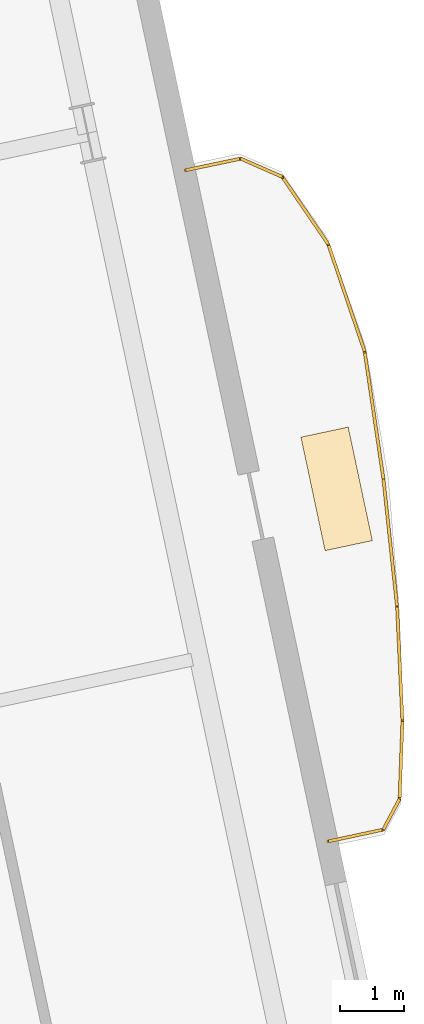
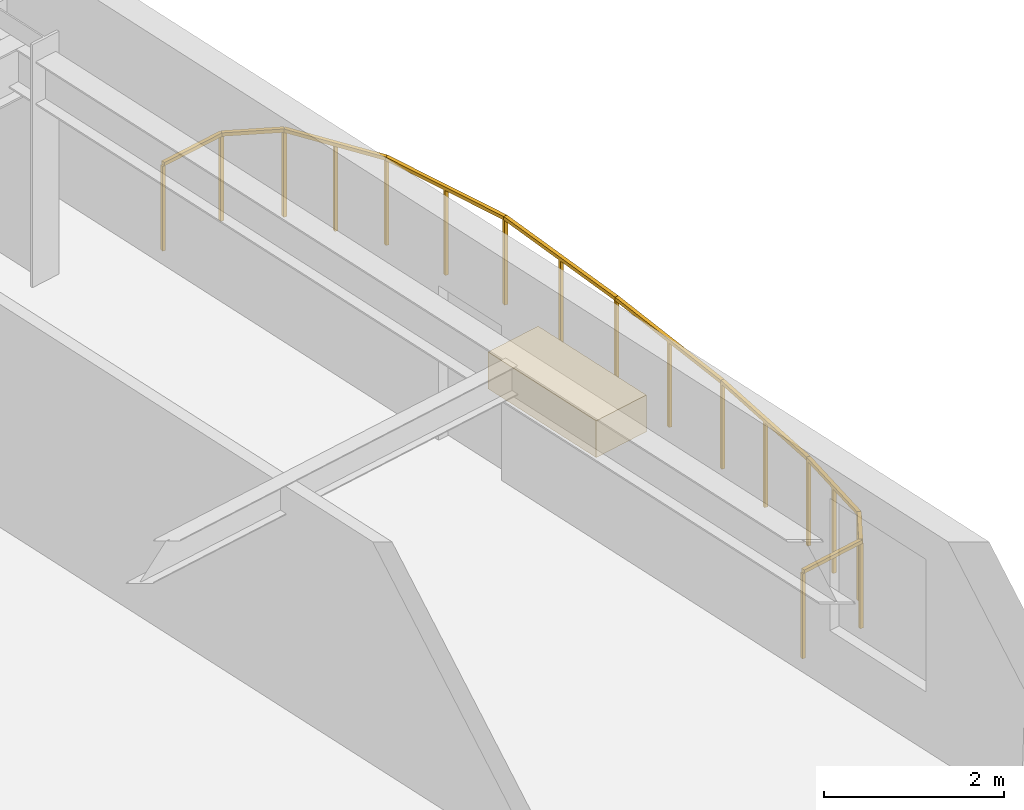
# One storey, part 16 of 16: 10 railings, 1 covering.
"""IFC4 building model written with IfcOpenShell, lengths in metres."""

from ifc_helpers import new_model, si_unit, direction, frame, origin, origin_2d, place, context, subcontext, project, spatial, rectangle, extrude, material, layer, layer_set, type_object, element, save


model = new_model("IFC4")

# Units and contexts
model_context = context("Model", 3, precision=1e-05, world=origin(), true_north=direction((0.0, 1.0)))
body_context = subcontext(model_context, "Body", "Model", "MODEL_VIEW")
ifc_project = project(units=[si_unit("LENGTHUNIT", "METRE"), si_unit("AREAUNIT", "SQUARE_METRE"), si_unit("VOLUMEUNIT", "CUBIC_METRE"), si_unit("PLANEANGLEUNIT", "RADIAN"), si_unit("MASSUNIT", "GRAM", prefix="KILO")], contexts=[model_context])

# Site, building, storey
site_placement = place(None, origin())
site = spatial("IfcSite", under=ifc_project, at=site_placement, CompositionType="ELEMENT")
building_placement = place(site_placement, origin())
building = spatial("IfcBuilding", under=site, at=building_placement, Name="Haevon Station Towers", CompositionType="ELEMENT")
storey_placement = place(building_placement, frame((0.0, 0.0, 43.800048828125)))
storey = spatial("IfcBuildingStorey", under=building, at=storey_placement, Name="L10", CompositionType="ELEMENT", Elevation=43.800048828125)

# Railings
ifc_material_1 = material(Name="Steel S355", Category="steel")
railing_type = type_object("IfcRailingType", Name="GRD-EXT1200", PredefinedType="GUARDRAIL", material=ifc_material_1)
railing_1_placement = place(storey_placement, frame((138.470458984375, 28.175537109375, 0.0)))
element("IfcRailing", 1, at=railing_1_placement, inside=storey, type_object=railing_type, Name="L10 Perimeter Guardrail 1", PredefinedType="GUARDRAIL", context=body_context, shape_type="SweptSolid", body=[
    extrude(rectangle(XDim=0.048095703125, YDim=0.048095703125, at=origin_2d()), frame((0.0, 0.0, 1.17578125), z_axis=(0.977683060471, 0.210085299981, 0.0), x_axis=(-0.210085299981, 0.977683060471, 0.0)), (0.0, 0.0, 1.0), 0.869140625),
    extrude(rectangle(XDim=0.0419921875, YDim=0.0419921875, at=origin_2d()), origin(), (0.0, 0.0, 1.0), 1.15185546875),
    extrude(rectangle(XDim=0.0419921875, YDim=0.0419921875, at=origin_2d()), frame((0.849853515625, 0.1826171875, 0.0)), (0.0, 0.0, 1.0), 1.15185546875),
])
railing_2_placement = place(storey_placement, frame((139.3203125, 28.358154296875, 0.0)))
element("IfcRailing", 2, at=railing_2_placement, inside=storey, type_object=railing_type, Name="L10 Perimeter Guardrail 2", PredefinedType="GUARDRAIL", context=body_context, shape_type="SweptSolid", body=[
    extrude(rectangle(XDim=0.048095703125, YDim=0.048095703125, at=origin_2d()), frame((0.0, 0.0, 1.17578125), z_axis=(0.470493946503, 0.882403222061, 0.0), x_axis=(-0.882403222061, 0.470493946503, 0.0)), (0.0, 0.0, 1.0), 0.53759765625),
    extrude(rectangle(XDim=0.0419921875, YDim=0.0419921875, at=origin_2d()), origin(), (0.0, 0.0, 1.0), 1.15185546875),
    extrude(rectangle(XDim=0.0419921875, YDim=0.0419921875, at=origin_2d()), frame((0.2529296875, 0.474365234375, 0.0)), (0.0, 0.0, 1.0), 1.15185546875),
])
railing_3_placement = place(storey_placement, frame((139.5732421875, 28.83251953125, 0.0)))
element("IfcRailing", 3, at=railing_3_placement, inside=storey, type_object=railing_type, Name="L10 Perimeter Guardrail 3", PredefinedType="GUARDRAIL", context=body_context, shape_type="SweptSolid", body=[
    extrude(rectangle(XDim=0.048095703125, YDim=0.048095703125, at=origin_2d()), frame((0.0, 0.0, 1.17578125), z_axis=(0.036218375783, 0.999343899394, 0.0), x_axis=(-0.999343899394, 0.036218375783, 0.0)), (0.0, 0.0, 1.0), 1.20654296875),
    extrude(rectangle(XDim=0.0419921875, YDim=0.0419921875, at=origin_2d()), origin(), (0.0, 0.0, 1.0), 1.15185546875),
    extrude(rectangle(XDim=0.0419921875, YDim=0.0419921875, at=origin_2d()), frame((0.02197265625, 0.60302734375, 0.0)), (0.0, 0.0, 1.0), 1.15185546875),
    extrude(rectangle(XDim=0.0419921875, YDim=0.0419921875, at=origin_2d()), frame((0.043701171875, 1.205810546875, 0.0)), (0.0, 0.0, 1.0), 1.15185546875),
])
railing_4_placement = place(storey_placement, frame((139.616943359375, 30.038330078125, 0.0)))
element("IfcRailing", 4, at=railing_4_placement, inside=storey, type_object=railing_type, Name="L10 Perimeter Guardrail 4", PredefinedType="GUARDRAIL", context=body_context, shape_type="SweptSolid", body=[
    extrude(rectangle(XDim=0.048095703125, YDim=0.048095703125, at=origin_2d()), frame((0.0, 0.0, 1.17578125), z_axis=(-0.046413459266, 0.998922314697, 0.0), x_axis=(-0.998922314697, -0.046413459266, 0.0)), (0.0, 0.0, 1.0), 1.772705078125),
    extrude(rectangle(XDim=0.0419921875, YDim=0.0419921875, at=origin_2d()), origin(), (0.0, 0.0, 1.0), 1.15185546875),
    extrude(rectangle(XDim=0.0419921875, YDim=0.0419921875, at=origin_2d()), frame((-0.041015625, 0.88525390625, 0.0)), (0.0, 0.0, 1.0), 1.15185546875),
    extrude(rectangle(XDim=0.0419921875, YDim=0.0419921875, at=origin_2d()), frame((-0.082275390625, 1.770751953125, 0.0)), (0.0, 0.0, 1.0), 1.15185546875),
])
railing_5_placement = place(storey_placement, frame((139.53466796875, 31.80908203125, 0.0)))
element("IfcRailing", 5, at=railing_5_placement, inside=storey, type_object=railing_type, Name="L10 Perimeter Guardrail 5", PredefinedType="GUARDRAIL", context=body_context, shape_type="SweptSolid", body=[
    extrude(rectangle(XDim=0.048095703125, YDim=0.048095703125, at=origin_2d()), frame((0.0, 0.0, 1.17578125), z_axis=(-0.106451225399, 0.994317925319, 0.0), x_axis=(-0.994317925319, -0.106451225399, 0.0)), (0.0, 0.0, 1.0), 2.0),
    extrude(rectangle(XDim=0.0419921875, YDim=0.0419921875, at=origin_2d()), origin(), (0.0, 0.0, 1.0), 1.15185546875),
    extrude(rectangle(XDim=0.0419921875, YDim=0.0419921875, at=origin_2d()), frame((-0.1064453125, 0.994140625, 0.0)), (0.0, 0.0, 1.0), 1.15185546875),
    extrude(rectangle(XDim=0.0419921875, YDim=0.0419921875, at=origin_2d()), frame((-0.212890625, 1.988525390625, 0.0)), (0.0, 0.0, 1.0), 1.15185546875),
])
railing_6_placement = place(storey_placement, frame((139.32177734375, 33.797607421875, 0.0)))
element("IfcRailing", 6, at=railing_6_placement, inside=storey, type_object=railing_type, Name="L10 Perimeter Guardrail 6", PredefinedType="GUARDRAIL", context=body_context, shape_type="SweptSolid", body=[
    extrude(rectangle(XDim=0.048095703125, YDim=0.048095703125, at=origin_2d()), frame((0.0, 0.0, 1.17578125), z_axis=(-0.145458800177, 0.989364309772, 0.0), x_axis=(-0.989364309772, -0.145458800177, 0.0)), (0.0, 0.0, 1.0), 1.997314453125),
    extrude(rectangle(XDim=0.0419921875, YDim=0.0419921875, at=origin_2d()), origin(), (0.0, 0.0, 1.0), 1.15185546875),
    extrude(rectangle(XDim=0.0419921875, YDim=0.0419921875, at=origin_2d()), frame((-0.145263671875, 0.988037109375, 0.0)), (0.0, 0.0, 1.0), 1.15185546875),
    extrude(rectangle(XDim=0.0419921875, YDim=0.0419921875, at=origin_2d()), frame((-0.29052734375, 1.97607421875, 0.0)), (0.0, 0.0, 1.0), 1.15185546875),
])
railing_7_placement = place(storey_placement, frame((139.03125, 35.773681640625, 0.0)))
element("IfcRailing", 7, at=railing_7_placement, inside=storey, type_object=railing_type, Name="L10 Perimeter Guardrail 7", PredefinedType="GUARDRAIL", context=body_context, shape_type="SweptSolid", body=[
    extrude(rectangle(XDim=0.048095703125, YDim=0.048095703125, at=origin_2d()), frame((0.0, 0.0, 1.17578125), z_axis=(-0.321554241581, 0.946891160441, 0.0), x_axis=(-0.946891160441, -0.321554241581, 0.0)), (0.0, 0.0, 1.0), 1.758544921875),
    extrude(rectangle(XDim=0.0419921875, YDim=0.0419921875, at=origin_2d()), origin(), (0.0, 0.0, 1.0), 1.15185546875),
    extrude(rectangle(XDim=0.0419921875, YDim=0.0419921875, at=origin_2d()), frame((-0.28271484375, 0.83251953125, 0.0)), (0.0, 0.0, 1.0), 1.15185546875),
    extrude(rectangle(XDim=0.0419921875, YDim=0.0419921875, at=origin_2d()), frame((-0.5654296875, 1.6650390625, 0.0)), (0.0, 0.0, 1.0), 1.15185546875),
])
railing_8_placement = place(storey_placement, frame((138.4658203125, 37.438720703125, 0.0)))
element("IfcRailing", 8, at=railing_8_placement, inside=storey, type_object=railing_type, Name="L10 Perimeter Guardrail 8", PredefinedType="GUARDRAIL", context=body_context, shape_type="SweptSolid", body=[
    extrude(rectangle(XDim=0.048095703125, YDim=0.048095703125, at=origin_2d()), frame((0.0, 0.0, 1.17578125), z_axis=(-0.563450699836, 0.826149689133, 0.0), x_axis=(-0.826149689133, -0.563450699836, 0.0)), (0.0, 0.0, 1.0), 1.263916015625),
    extrude(rectangle(XDim=0.0419921875, YDim=0.0419921875, at=origin_2d()), origin(), (0.0, 0.0, 1.0), 1.15185546875),
    extrude(rectangle(XDim=0.0419921875, YDim=0.0419921875, at=origin_2d()), frame((-0.35595703125, 0.52197265625, 0.0)), (0.0, 0.0, 1.0), 1.15185546875),
    extrude(rectangle(XDim=0.0419921875, YDim=0.0419921875, at=origin_2d()), frame((-0.712158203125, 1.044189453125, 0.0)), (0.0, 0.0, 1.0), 1.15185546875),
])
railing_9_placement = place(storey_placement, frame((137.753662109375, 38.48291015625, 0.0)))
element("IfcRailing", 9, at=railing_9_placement, inside=storey, type_object=railing_type, Name="L10 Perimeter Guardrail 9", PredefinedType="GUARDRAIL", context=body_context, shape_type="SweptSolid", body=[
    extrude(rectangle(XDim=0.048095703125, YDim=0.048095703125, at=origin_2d()), frame((0.0, 0.0, 1.17578125), z_axis=(-0.915743501552, 0.401763412179, 0.0), x_axis=(-0.401763412179, -0.915743501552, 0.0)), (0.0, 0.0, 1.0), 0.704833984375),
    extrude(rectangle(XDim=0.0419921875, YDim=0.0419921875, at=origin_2d()), origin(), (0.0, 0.0, 1.0), 1.15185546875),
    extrude(rectangle(XDim=0.0419921875, YDim=0.0419921875, at=origin_2d()), frame((-0.6455078125, 0.283203125, 0.0)), (0.0, 0.0, 1.0), 1.15185546875),
])
railing_10_placement = place(storey_placement, frame((137.108154296875, 38.76611328125, 0.0)))
element("IfcRailing", 10, at=railing_10_placement, inside=storey, type_object=railing_type, Name="L10 Perimeter Guardrail 10", PredefinedType="GUARDRAIL", context=body_context, shape_type="SweptSolid", body=[
    extrude(rectangle(XDim=0.048095703125, YDim=0.048095703125, at=origin_2d()), frame((0.0, 0.0, 1.17578125), z_axis=(-0.978645023674, -0.205557577426, 0.0), x_axis=(0.205557577426, -0.978645023674, 0.0)), (0.0, 0.0, 1.0), 0.869384765625),
    extrude(rectangle(XDim=0.0419921875, YDim=0.0419921875, at=origin_2d()), origin(), (0.0, 0.0, 1.0), 1.15185546875),
    extrude(rectangle(XDim=0.0419921875, YDim=0.0419921875, at=origin_2d()), frame((-0.850830078125, -0.1787109375, 0.0)), (0.0, 0.0, 1.0), 1.15185546875),
])

# Covering
ifc_material_2 = material(Name="Architectural planter GRC", Category="concrete")
ifc_layer = layer(ifc_material_2, 0.550048828125)
ifc_layer_set = layer_set([ifc_layer], Name="Architectural planter GRC")
covering_type = type_object("IfcCoveringType", Name="PLN-GRC550", PredefinedType="MOLDING", material=ifc_layer_set)
covering_placement = place(storey_placement, frame((138.59619140625, 33.643310546875, 0.0), z_axis=(0.0, 0.0, 1.0), x_axis=(0.978147600734, 0.207911690818, 0.0)))
element("IfcCovering", 11, at=covering_placement, inside=storey, type_object=covering_type, Name="Tower 2 L10 Scalloped Balcony PLANTER", PredefinedType="MOLDING", context=body_context, shape_type="SweptSolid", body=[
    extrude(rectangle(XDim=0.75, YDim=1.800048828125, at=origin_2d()), origin(), (0.0, 0.0, 1.0), 0.5),
])

save(model, "model.ifc")
